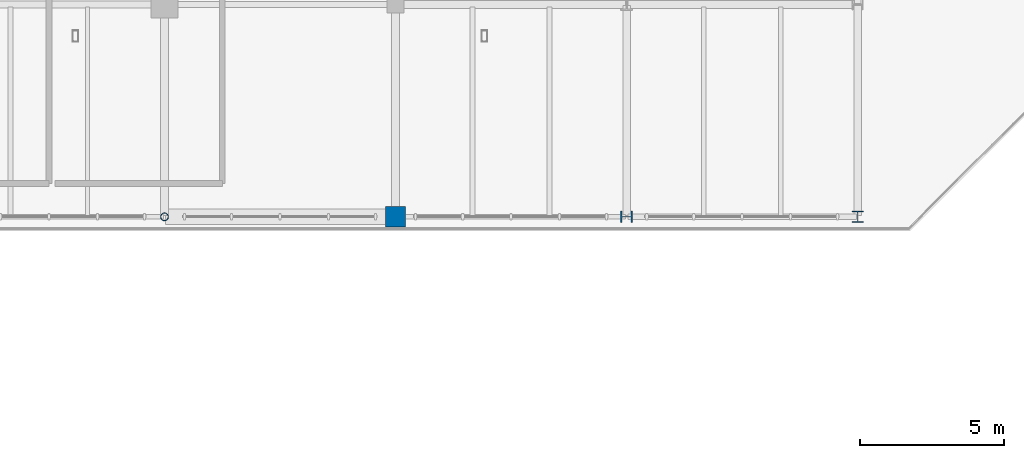
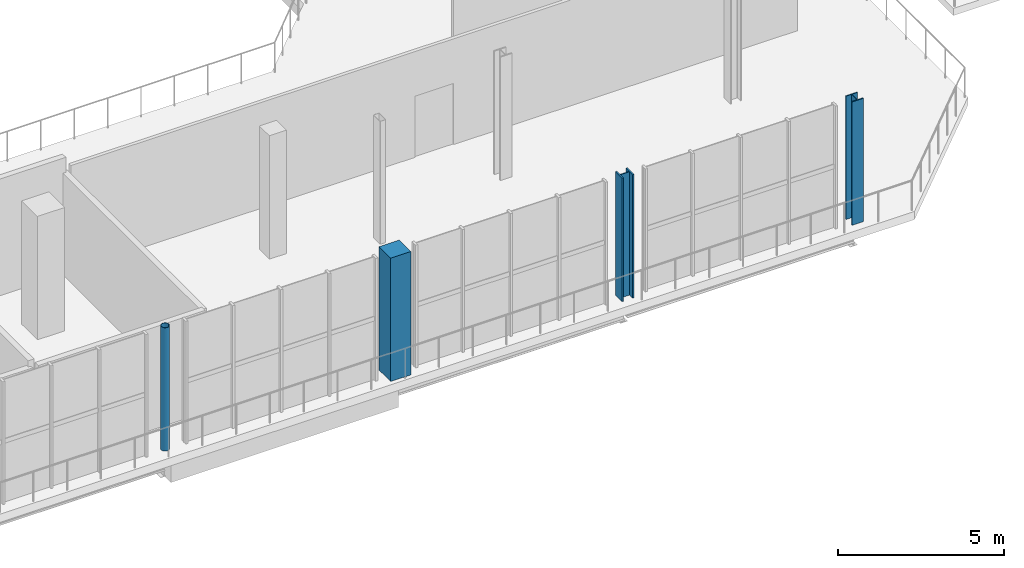
# One storey, part 8 of 70: 4 columns.
"""IFC4 building model written with IfcOpenShell, lengths in metres."""

from ifc_helpers import new_model, si_unit, direction, frame, origin, origin_2d, place, context, subcontext, project, spatial, rectangle, hollow_circle, i_section, extrude, material, material_profile, profile_set, type_object, element, save


model = new_model("IFC4")

# Units and contexts
model_context = context("Model", 3, precision=1e-05, world=origin(), true_north=direction((0.0, 1.0)))
body_context = subcontext(model_context, "Body", "Model", "MODEL_VIEW")
ifc_project = project(units=[si_unit("LENGTHUNIT", "METRE"), si_unit("AREAUNIT", "SQUARE_METRE"), si_unit("VOLUMEUNIT", "CUBIC_METRE"), si_unit("PLANEANGLEUNIT", "RADIAN"), si_unit("MASSUNIT", "GRAM", prefix="KILO")], contexts=[model_context])

# Site, building, storey
site_placement = place(None, origin())
site = spatial("IfcSite", under=ifc_project, at=site_placement, CompositionType="ELEMENT")
building_placement = place(site_placement, origin())
building = spatial("IfcBuilding", under=site, at=building_placement, Name="Brisemont Oceanarium", CompositionType="ELEMENT")
storey_placement = place(building_placement, frame((0.0, 0.0, 10.199951171875)))
storey = spatial("IfcBuildingStorey", under=building, at=storey_placement, Name="L02", CompositionType="ELEMENT", Elevation=10.199951171875)

# Columns
ifc_material_1 = material(Name="Structural Steel ASTM A500 Gr.C", Category="steel")
ifc_material_profile_1 = material_profile(ifc_material_1, hollow_circle(Radius=0.136474609375, WallThickness=0.01171875, at=origin_2d()), Name="HSS10.750X0.500")
ifc_profile_set_1 = profile_set([ifc_material_profile_1], Name="Structural Steel ASTM A500 Gr.C")
column_type_1 = type_object("IfcColumnType", Name="COL-CHS10", PredefinedType="COLUMN", material=ifc_profile_set_1)
column_1_placement = place(storey_placement, frame((80.0, 32.64990234375, 0.0), z_axis=(0.0, 0.0, 1.0), x_axis=(0.0, 1.0, 0.0)))
element("IfcColumn", 1, at=column_1_placement, inside=storey, type_object=column_type_1, Name="V1 L02 column (3,0)", PredefinedType="COLUMN", context=body_context, shape_type="SweptSolid", body=[
    extrude(hollow_circle(Radius=0.136474609375, WallThickness=0.01171875, at=origin_2d()), origin(), (0.0, 0.0, 1.0), 4.5400390625),
])
ifc_material_2 = material(Name="Concrete C35/45", Category="concrete")
ifc_material_profile_2 = material_profile(ifc_material_2, rectangle(XDim=0.699951171875, YDim=0.699951171875, at=origin_2d()), Name="RC-COL-700X700")
ifc_profile_set_2 = profile_set([ifc_material_profile_2], Name="Concrete C35/45")
column_type_2 = type_object("IfcColumnType", Name="COL-RC700", PredefinedType="COLUMN", material=ifc_profile_set_2)
column_2_placement = place(storey_placement, frame((88.0, 32.64990234375, 0.0), z_axis=(0.0, 0.0, 1.0), x_axis=(1.0, 0.0, 0.0)))
element("IfcColumn", 2, at=column_2_placement, inside=storey, type_object=column_type_2, Name="V1 L02 column (4,0)", PredefinedType="COLUMN", context=body_context, shape_type="SweptSolid", body=[
    extrude(rectangle(XDim=0.699951171875, YDim=0.699951171875, at=origin_2d()), origin(), (0.0, 0.0, 1.0), 4.5400390625),
])
ifc_material_3 = material(Name="Structural Steel ASTM A992 Gr.50", Category="steel")
ifc_material_profile_3 = material_profile(ifc_material_3, i_section(OverallWidth=0.39892578125, OverallDepth=0.385986328125, WebThickness=0.02099609375, FlangeThickness=0.033203125, FilletRadius=0.014892578125, at=origin_2d()), Name="W14X176")
ifc_profile_set_3 = profile_set([ifc_material_profile_3], Name="Structural Steel ASTM A992 Gr.50")
column_type_3 = type_object("IfcColumnType", Name="COL-W14X176", PredefinedType="COLUMN", material=ifc_profile_set_3)
column_3_placement = place(storey_placement, frame((104.0, 32.64990234375, 0.0), z_axis=(0.0, 0.0, 1.0), x_axis=(1.0, 0.0, 0.0)))
element("IfcColumn", 3, at=column_3_placement, inside=storey, type_object=column_type_3, Name="V1 L02 column (6,0)", PredefinedType="COLUMN", context=body_context, shape_type="SweptSolid", body=[
    extrude(i_section(OverallWidth=0.39892578125, OverallDepth=0.385986328125, WebThickness=0.02099609375, FlangeThickness=0.033203125, FilletRadius=0.014892578125, at=origin_2d()), origin(), (0.0, 0.0, 1.0), 4.5400390625),
])
ifc_material_4 = material(Name="Structural Steel ASTM A992 Gr.50", Category="steel")
ifc_material_profile_4 = material_profile(ifc_material_4, i_section(OverallWidth=0.406005859375, OverallDepth=0.416015625, WebThickness=0.02978515625, FlangeThickness=0.048095703125, FilletRadius=0.014892578125, at=origin_2d()), Name="W14X257")
ifc_profile_set_4 = profile_set([ifc_material_profile_4], Name="Structural Steel ASTM A992 Gr.50")
column_type_4 = type_object("IfcColumnType", Name="COL-W14X257", PredefinedType="COLUMN", material=ifc_profile_set_4)
column_4_placement = place(storey_placement, frame((96.0, 32.64990234375, 0.0), z_axis=(0.0, 0.0, 1.0), x_axis=(0.0, 1.0, 0.0)))
element("IfcColumn", 4, at=column_4_placement, inside=storey, type_object=column_type_4, Name="V1 L02 column (5,0)", PredefinedType="COLUMN", context=body_context, shape_type="SweptSolid", body=[
    extrude(i_section(OverallWidth=0.406005859375, OverallDepth=0.416015625, WebThickness=0.02978515625, FlangeThickness=0.048095703125, FilletRadius=0.014892578125, at=origin_2d()), origin(), (0.0, 0.0, 1.0), 4.5400390625),
])

save(model, "model.ifc")
